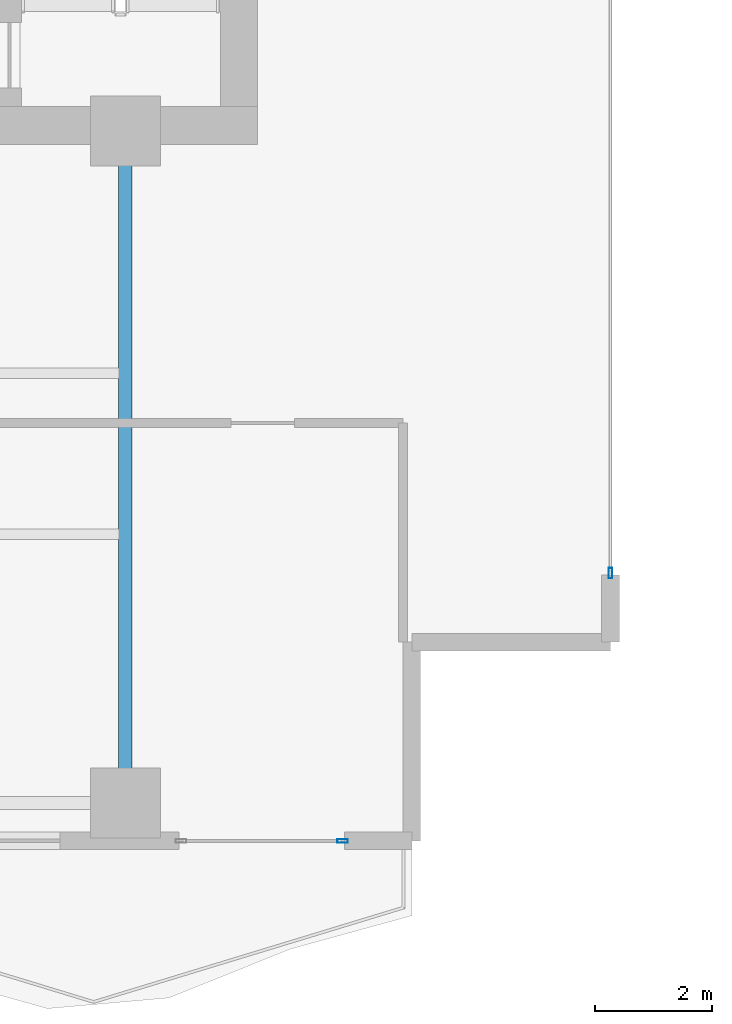
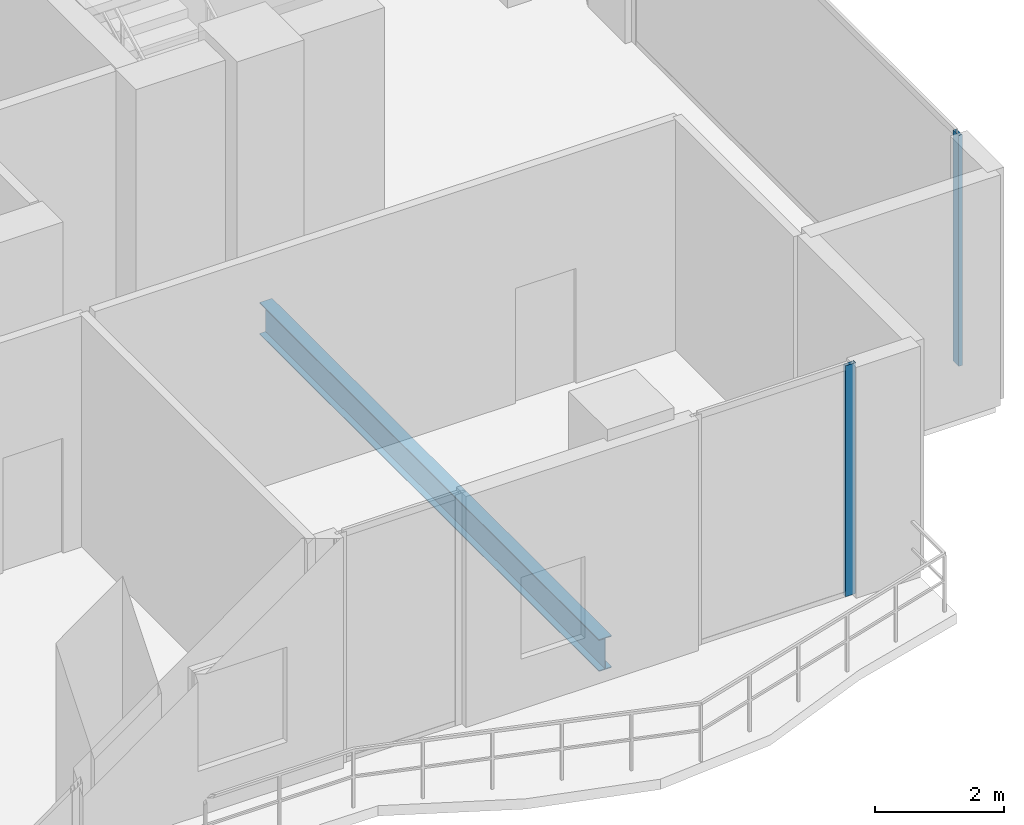
# One storey, part 10 of 31: 2 members, 1 beam, 2 elements without a shape of their own.
"""IFC4 building model written with IfcOpenShell, lengths in metres."""

from ifc_helpers import new_model, si_unit, direction, frame, origin, origin_2d, place, context, subcontext, project, spatial, hollow_rectangle, i_section, extrude, material, layer, layer_set, material_profile, profile_set, type_object, element, aggregate, save


model = new_model("IFC4")

# Units and contexts
model_context = context("Model", 3, precision=1e-05, world=origin(), true_north=direction((0.0, 1.0)))
body_context = subcontext(model_context, "Body", "Model", "MODEL_VIEW")
ifc_project = project(units=[si_unit("LENGTHUNIT", "METRE"), si_unit("AREAUNIT", "SQUARE_METRE"), si_unit("VOLUMEUNIT", "CUBIC_METRE"), si_unit("PLANEANGLEUNIT", "RADIAN"), si_unit("MASSUNIT", "GRAM", prefix="KILO")], contexts=[model_context])

# Site, building, storey
site_placement = place(None, origin())
site = spatial("IfcSite", under=ifc_project, at=site_placement, CompositionType="ELEMENT")
building_placement = place(site_placement, origin())
building = spatial("IfcBuilding", under=site, at=building_placement, Name="Zuhayl Quay Hotel", CompositionType="ELEMENT")
storey_placement = place(building_placement, frame((0.0, 0.0, 172.800048828125)))
storey = spatial("IfcBuildingStorey", under=building, at=storey_placement, Name="L43", CompositionType="ELEMENT", Elevation=172.800048828125)

# Beam
ifc_material_1 = material(Name="Steel ASTM A992 Grade 50", Category="steel")
ifc_material_profile_1 = material_profile(ifc_material_1, i_section(OverallWidth=0.22802734375, OverallDepth=0.60693359375, WebThickness=0.01123046875, FlangeThickness=0.017333984375, at=origin_2d()), Name="W24X76")
ifc_profile_set_1 = profile_set([ifc_material_profile_1], Name="Steel ASTM A992 Grade 50")
beam_type = type_object("IfcBeamType", Name="BM_B3_W24X76", PredefinedType="BEAM", material=ifc_profile_set_1)
beam_placement = place(storey_placement, frame((13.800048828125, -6.449951171875, -0.5234375), z_axis=(0.0, 1.0, 0.0), x_axis=(-1.0, 0.0, 0.0)))
element("IfcBeam", 1, at=beam_placement, inside=storey, type_object=beam_type, Name="L43 Floor Beam FG_S_L43_4", PredefinedType="BEAM", context=body_context, shape_type="SweptSolid", body=[
    extrude(i_section(OverallWidth=0.22802734375, OverallDepth=0.60693359375, WebThickness=0.01123046875, FlangeThickness=0.017333984375, at=origin_2d()), origin(), (0.0, 0.0, 1.0), 10.550048828125),
])

# Curtain wall, member
ifc_material_2 = material(Name="Anodised Aluminium 6063-T6", Category="aluminium")
ifc_layer = layer(ifc_material_2, 0.175048828125, Name="Anodised Aluminium 6063-T6", Category="aluminium")
ifc_layer_set = layer_set([ifc_layer], Name="Anodised Aluminium 6063-T6")
curtain_wall_type = type_object("IfcCurtainWallType", Name="CW_SYS_Z3", PredefinedType="USERDEFINED", material=ifc_layer_set)
curtain_wall_1_placement = place(storey_placement, origin())
curtain_wall_1 = element("IfcCurtainWall", 2, at=curtain_wall_1_placement, inside=storey, type_object=curtain_wall_type, Name="L43 Curtain Wall ENV_L43_E14_CW1", ObjectType="UNITISED CURTAIN WALL", PredefinedType="USERDEFINED")
ifc_material_3 = material(Name="Black-anodised aluminium 6063-T6", Category="aluminium")
ifc_material_profile_2 = material_profile(ifc_material_3, hollow_rectangle(XDim=0.06494140625, YDim=0.179931640625, WallThickness=0.00341796875, at=origin_2d()), Name="ALU180X65")
ifc_profile_set_2 = profile_set([ifc_material_profile_2], Name="Black-anodised aluminium 6063-T6")
member_type = type_object("IfcMemberType", Name="MB_CW_MUL_180", PredefinedType="MULLION", material=ifc_profile_set_2)
member_1_placement = place(storey_placement, frame((22.10009765625, -3.017578125, 0.0), z_axis=(0.0, 0.0, 1.0), x_axis=(1.0, 0.0, 0.0)))
member_1 = element("IfcMember", 3, at=member_1_placement, type_object=member_type, Name="CW-Z3 mullion 2", PredefinedType="MULLION", context=body_context, shape_type="SweptSolid", body=[
    extrude(hollow_rectangle(XDim=0.06494140625, YDim=0.179931640625, WallThickness=0.00341796875, at=origin_2d()), origin(), (0.0, 0.0, 1.0), 4.3798828125),
])
aggregate(curtain_wall_1, [member_1])

curtain_wall_2_placement = place(storey_placement, origin())
curtain_wall_2 = element("IfcCurtainWall", 4, at=curtain_wall_2_placement, inside=storey, type_object=curtain_wall_type, Name="L43 Curtain Wall ENV_L43_S_CW1", ObjectType="UNITISED CURTAIN WALL", PredefinedType="USERDEFINED")
member_2_placement = place(storey_placement, frame((17.517578125, -7.60009765625, 0.0), z_axis=(0.0, 0.0, 1.0), x_axis=(0.0, -1.0, 0.0)))
member_2 = element("IfcMember", 5, at=member_2_placement, type_object=member_type, Name="CW-Z3 mullion 1", PredefinedType="MULLION", context=body_context, shape_type="SweptSolid", body=[
    extrude(hollow_rectangle(XDim=0.06494140625, YDim=0.179931640625, WallThickness=0.00341796875, at=origin_2d()), origin(), (0.0, 0.0, 1.0), 4.3798828125),
])
aggregate(curtain_wall_2, [member_2])

save(model, "model.ifc")
